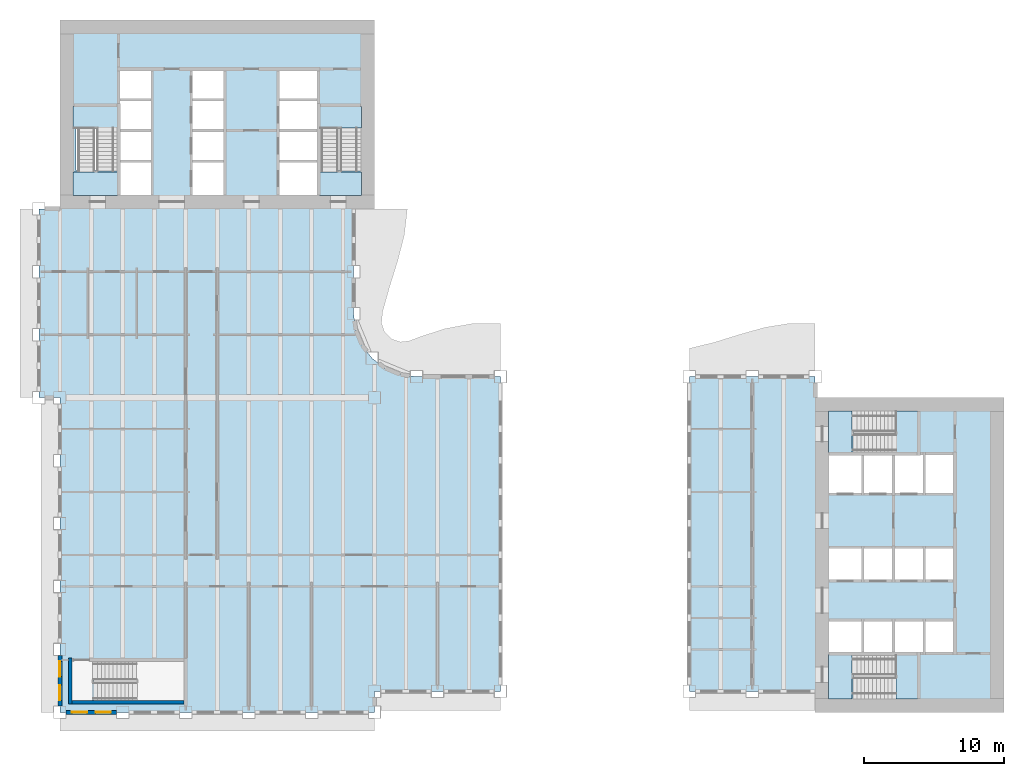
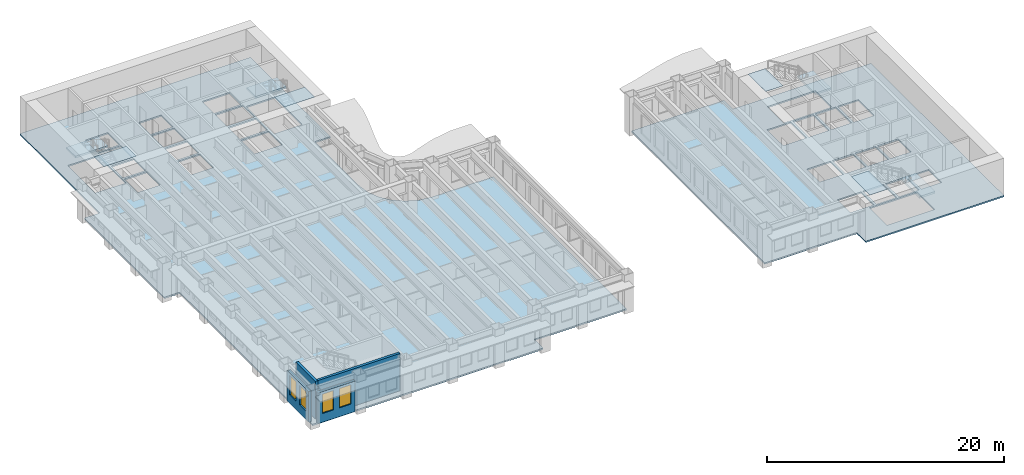
# One storey, part 2 of 13: 10 slabs, 4 walls, 4 windows, 4 openings, 4 elements without a shape of their own.
"""IFC4 building model written with IfcOpenShell, lengths in metres."""

import ifcopenshell
import ifcopenshell.guid

model = None  # the IFC model being written
_history = None  # IfcOwnerHistory: only IFC2X3 demands one
_inside = {}  # id of a spatial element -> (the spatial element, [elements in it])
_under = {}  # id of a project, library or spatial element -> (it, [spatial elements below it])
_declared = {}  # id of a project -> (the project, [libraries it declares])
_typed = {}  # id of a type object -> (the type object, [elements of that type])
_made_of = {}  # id of a material, layer set ... -> (it, [elements and type objects made of it])


def new_model(schema):
    """Start an empty IFC model of exactly this schema.

    Asked for "IFC4X3", IfcOpenShell would pick the latest addendum, in which some entities
    have other attributes; the version numbers below select the first issue.
    IFC2X3 requires an IfcOwnerHistory on every rooted entity: one is made here for all.
    """
    global model, _history
    if schema == "IFC4X3":
        model = ifcopenshell.file(schema_version=(4, 3, 0, 0))
    else:
        model = ifcopenshell.file(schema=schema)
    _inside.clear()
    _under.clear()
    _declared.clear()
    _typed.clear()
    _made_of.clear()
    _history = None
    if model.schema == "IFC2X3":
        org = make("IfcOrganization", Name="unknown")
        user = make(
            "IfcPersonAndOrganization",
            ThePerson=make("IfcPerson", FamilyName="unknown"),
            TheOrganization=org,
        )
        app = make(
            "IfcApplication",
            ApplicationDeveloper=org,
            Version="unknown",
            ApplicationFullName="unknown",
            ApplicationIdentifier="unknown",
        )
        _history = make(
            "IfcOwnerHistory",
            OwningUser=user,
            OwningApplication=app,
            ChangeAction="ADDED",
            CreationDate=0,
        )
    return model


def make(cls, **values):
    """One entity of the class cls with the attributes given. An attribute that is None is left unset."""
    return model.create_entity(
        cls, **{name: value for name, value in values.items() if value is not None}
    )


def rooted(cls, **values):
    """An entity with a GlobalId (a new one), such as an element, a storey or a relation."""
    return make(cls, GlobalId=ifcopenshell.guid.new(), OwnerHistory=_history, **values)


def si_unit(unit_type, name, prefix=None):
    """IfcSIUnit, for example si_unit("LENGTHUNIT", "METRE", prefix="MILLI")."""
    return make("IfcSIUnit", UnitType=unit_type, Prefix=prefix, Name=name)


def assignment(units):
    """IfcUnitAssignment: the units of a project."""
    return None if units is None else make("IfcUnitAssignment", Units=units)


def point(xyz):
    """IfcCartesianPoint."""
    return None if xyz is None else make("IfcCartesianPoint", Coordinates=xyz)


def direction(xyz):
    """IfcDirection."""
    return None if xyz is None else make("IfcDirection", DirectionRatios=xyz)


def frame(location, z_axis=None, x_axis=None):
    """IfcAxis2Placement3D, a coordinate frame: its origin and axes. An axis left out is left unset."""
    return make(
        "IfcAxis2Placement3D",
        Location=point(location),
        Axis=direction(z_axis),
        RefDirection=direction(x_axis),
    )


def frame_2d(location, x_axis=None):
    """IfcAxis2Placement2D, a coordinate frame in the plane: its origin and x axis."""
    return make(
        "IfcAxis2Placement2D", Location=point(location), RefDirection=direction(x_axis)
    )


def origin():
    """The frame at (0, 0, 0) with its axes left unset."""
    return frame((0.0, 0.0, 0.0))


def place(relative_to, where):
    """IfcLocalPlacement: puts the frame where relative to a parent placement (None: the world)."""
    return make(
        "IfcLocalPlacement", PlacementRelTo=relative_to, RelativePlacement=where
    )


def context(
    kind, dimensions, precision=None, world=None, true_north=None, identifier=None
):
    """IfcGeometricRepresentationContext, for example the 3D "Model" context."""
    return make(
        "IfcGeometricRepresentationContext",
        ContextIdentifier=identifier,
        ContextType=kind,
        CoordinateSpaceDimension=dimensions,
        Precision=precision,
        WorldCoordinateSystem=world,
        TrueNorth=true_north,
    )


def subcontext(parent, identifier, kind, view, scale=None):
    """IfcGeometricRepresentationSubContext, for example "Body" below "Model"."""
    return make(
        "IfcGeometricRepresentationSubContext",
        ContextIdentifier=identifier,
        ContextType=kind,
        ParentContext=parent,
        TargetScale=scale,
        TargetView=view,
    )


def project(units=None, contexts=None):
    """IfcProject with its units and contexts."""
    return rooted(
        "IfcProject",
        Name="project",
        RepresentationContexts=contexts,
        UnitsInContext=assignment(units),
    )


def spatial(cls, under=None, at=None, **own):
    """A site, building, storey or space (cls), placed at a placement, below another one or the project."""
    s = rooted(cls, ObjectPlacement=at, **own)
    if under is not None:
        _under.setdefault(under.id(), (under, []))[1].append(s)
    return s


def polyline(points):
    """IfcPolyline through the points."""
    return make("IfcPolyline", Points=[point(p) for p in points])


def profile(cls, at=None, kind="AREA", **sizes):
    """A parametric profile (cls). Its sizes go by their IFC names, for example OverallWidth=200.0."""
    return make(cls, ProfileType=kind, Position=at, **sizes)


def rectangle(**sizes):
    """IfcRectangleProfileDef."""
    return profile("IfcRectangleProfileDef", **sizes)


def outline(outer, holes=None, kind="AREA"):
    """IfcArbitraryClosedProfileDef: a profile drawn as a closed curve; with holes, ...WithVoids."""
    if holes is None:
        return make("IfcArbitraryClosedProfileDef", ProfileType=kind, OuterCurve=outer)
    return make(
        "IfcArbitraryProfileDefWithVoids",
        ProfileType=kind,
        OuterCurve=outer,
        InnerCurves=holes,
    )


def extrude(swept, where, along, depth):
    """IfcExtrudedAreaSolid: the profile swept, set in the frame where, extruded along a direction by depth."""
    return make(
        "IfcExtrudedAreaSolid",
        SweptArea=swept,
        Position=where,
        ExtrudedDirection=direction(along),
        Depth=depth,
    )


def shape(context_of_items, identifier, shape_type, items):
    """IfcShapeRepresentation: the items that make up one representation, for example the "Body"."""
    return make(
        "IfcShapeRepresentation",
        ContextOfItems=context_of_items,
        RepresentationIdentifier=identifier,
        RepresentationType=shape_type,
        Items=items,
    )


def material(Name=None, Category=None):
    """IfcMaterial."""
    return make("IfcMaterial", Name=Name, Category=Category)


def layer(
    of_material, thickness, ventilated=None, Name=None, Category=None, Priority=None
):
    """IfcMaterialLayer: one layer of a wall or slab, of a material (None: an air gap)."""
    return make(
        "IfcMaterialLayer",
        Material=of_material,
        LayerThickness=thickness,
        IsVentilated=ventilated,
        Name=Name,
        Category=Category,
        Priority=Priority,
    )


def layer_set(layers, Name=None):
    """IfcMaterialLayerSet."""
    return make("IfcMaterialLayerSet", MaterialLayers=layers, LayerSetName=Name)


def made_of(thing, what):
    """Note that an element or type object is made of a material, layer set ...; save() writes the relation."""
    if what is not None:
        _made_of.setdefault(what.id(), (what, []))[1].append(thing)
    return thing


def type_object(cls, material=None, **own):
    """A type object (cls), such as IfcWallType, which elements share."""
    return made_of(rooted(cls, **own), material)


def element(
    cls,
    number,
    at=None,
    inside=None,
    cuts=None,
    type_object=None,
    material=None,
    context=None,
    identifier="Body",
    shape_type=None,
    held_by="IfcProductDefinitionShape",
    body=None,
    shapes=None,
    **own,
):
    """One element of the class cls, such as IfcWall. Its Tag is "e" and its number.

    at: its placement. inside: the storey or other place that contains it. cuts: it is an
    opening in that element (IfcRelVoidsElement). A single representation is given by context,
    identifier, shape_type and body (its items); several are given by shapes. held_by: the class
    of the entity that holds the representations. save() writes the other relations.
    """
    e = rooted(cls, Tag="e%d" % number, ObjectPlacement=at, **own)
    if body is not None:
        shapes = [shape(context, identifier, shape_type, body)]
    if shapes is not None:
        e.Representation = make(held_by, Representations=shapes)
    if inside is not None:
        _inside.setdefault(inside.id(), (inside, []))[1].append(e)
    if cuts is not None:
        rooted(
            "IfcRelVoidsElement", RelatingBuildingElement=cuts, RelatedOpeningElement=e
        )
    if type_object is not None:
        _typed.setdefault(type_object.id(), (type_object, []))[1].append(e)
    return made_of(e, material)


def fill(opening, filler):
    """IfcRelFillsElement: the door or window that sits in an opening."""
    return rooted(
        "IfcRelFillsElement",
        RelatingOpeningElement=opening,
        RelatedBuildingElement=filler,
    )


def aggregate(whole, parts):
    """IfcRelAggregates: a whole, such as a stair, and the parts it consists of."""
    return rooted("IfcRelAggregates", RelatingObject=whole, RelatedObjects=parts)


def save(model, path):
    """Write the relations noted so far, then the file.

    IfcRelAggregates (storeys below a building ...), IfcRelContainedInSpatialStructure (elements
    in a storey), IfcRelDefinesByType, IfcRelAssociatesMaterial and IfcRelDeclares: one each for
    every whole, place, type object, material and project.
    """
    for whole, parts in _under.values():
        aggregate(whole, parts)
    for where, things in _inside.values():
        rooted(
            "IfcRelContainedInSpatialStructure",
            RelatedElements=things,
            RelatingStructure=where,
        )
    for kind, things in _typed.values():
        rooted("IfcRelDefinesByType", RelatedObjects=things, RelatingType=kind)
    for what, things in _made_of.values():
        rooted("IfcRelAssociatesMaterial", RelatedObjects=things, RelatingMaterial=what)
    for by, libraries in _declared.values():
        rooted("IfcRelDeclares", RelatingContext=by, RelatedDefinitions=libraries)
    model.write(path)


model = new_model("IFC4")

# Units and contexts
model_context = context("Model", 3, precision=1e-05, world=origin(), true_north=direction((0.0, 1.0)))
body_context = subcontext(model_context, "Body", "Model", "MODEL_VIEW")
ifc_project = project(units=[si_unit("LENGTHUNIT", "METRE"), si_unit("AREAUNIT", "SQUARE_METRE"), si_unit("VOLUMEUNIT", "CUBIC_METRE"), si_unit("PLANEANGLEUNIT", "RADIAN"), si_unit("MASSUNIT", "GRAM", prefix="KILO")], contexts=[model_context])

# Site, building, storey
site_placement = place(None, origin())
site = spatial("IfcSite", under=ifc_project, at=site_placement, CompositionType="ELEMENT")
building_placement = place(site_placement, origin())
building = spatial("IfcBuilding", under=site, at=building_placement, Name="Sennacour Bend Tower", CompositionType="ELEMENT")
storey_placement = place(building_placement, frame((0.0, 0.0, 139.0)))
storey = spatial("IfcBuildingStorey", under=building, at=storey_placement, Name="L31", CompositionType="ELEMENT", Elevation=139.0)

# Slabs
ifc_material_1 = material(Name="Concrete C30/37", Category="concrete")
ifc_layer_1 = layer(ifc_material_1, 0.14990234375, Name="Concrete C30/37", Category="concrete")
ifc_layer_set_1 = layer_set([ifc_layer_1], Name="Concrete C30/37")
slab_type_1 = type_object("IfcSlabType", Name="Floor slab 150", PredefinedType="FLOOR", material=ifc_layer_set_1)
slab_1_placement = place(storey_placement, frame((0.0, 0.0, -0.14990234375)))
element("IfcSlab", 1, at=slab_1_placement, inside=storey, type_object=slab_type_1, Name="Floor slab L31-01", PredefinedType="FLOOR", context=body_context, shape_type="SweptSolid", body=[
    extrude(outline(polyline([(45.0, 24.0), (54.0, 24.0), (54.0, 22.5), (67.5, 22.5), (67.5, 0.0), (54.0, 0.0), (54.0, 1.5), (45.0, 1.5), (45.0, 24.0)]), holes=[polyline([(61.39990234375, 4.125), (56.72998046875, 4.125), (56.72998046875, 1.14990234375), (61.39990234375, 1.14990234375), (61.39990234375, 4.125)]), polyline([(57.300048828125, 4.300048828125), (57.300048828125, 6.5), (55.0, 6.5), (55.0, 4.300048828125), (57.300048828125, 4.300048828125)]), polyline([(59.5, 4.300048828125), (59.5, 6.5), (57.5, 6.5), (57.5, 4.300048828125), (59.5, 4.300048828125)]), polyline([(57.300048828125, 9.5), (57.300048828125, 11.699951171875), (55.0, 11.699951171875), (55.0, 9.5), (57.300048828125, 9.5)]), polyline([(59.5, 9.5), (59.5, 11.699951171875), (57.5, 11.699951171875), (57.5, 9.5), (59.5, 9.5)]), polyline([(57.300048828125, 15.699951171875), (57.300048828125, 18.39990234375), (55.0, 18.39990234375), (55.0, 15.699951171875), (57.300048828125, 15.699951171875)]), polyline([(59.5, 15.699951171875), (59.5, 18.39990234375), (57.5, 18.39990234375), (57.5, 15.699951171875), (59.5, 15.699951171875)]), polyline([(61.699951171875, 6.5), (59.699951171875, 6.5), (59.699951171875, 4.300048828125), (61.699951171875, 4.300048828125), (61.699951171875, 6.5)]), polyline([(63.89990234375, 4.300048828125), (63.89990234375, 6.5), (61.89990234375, 6.5), (61.89990234375, 4.300048828125), (63.89990234375, 4.300048828125)]), polyline([(61.699951171875, 9.5), (61.699951171875, 11.699951171875), (59.699951171875, 11.699951171875), (59.699951171875, 9.5), (61.699951171875, 9.5)]), polyline([(63.89990234375, 9.5), (63.89990234375, 11.699951171875), (61.89990234375, 11.699951171875), (61.89990234375, 9.5), (63.89990234375, 9.5)]), polyline([(61.699951171875, 15.699951171875), (61.699951171875, 18.39990234375), (59.699951171875, 18.39990234375), (59.699951171875, 15.699951171875), (61.699951171875, 15.699951171875)]), polyline([(63.89990234375, 15.699951171875), (63.89990234375, 18.39990234375), (61.89990234375, 18.39990234375), (61.89990234375, 15.699951171875), (63.89990234375, 15.699951171875)]), polyline([(61.39990234375, 18.574951171875), (61.39990234375, 21.35009765625), (56.72998046875, 21.35009765625), (56.72998046875, 18.574951171875), (61.39990234375, 18.574951171875)])]), origin(), (0.0, 0.0, 1.0), 0.14990234375),
])
slab_2_placement = place(storey_placement, frame((0.0, 0.0, -0.14990234375)))
element("IfcSlab", 2, at=slab_2_placement, inside=storey, type_object=slab_type_1, Name="Floor slab L31-02", PredefinedType="FLOOR", context=body_context, shape_type="SweptSolid", body=[
    extrude(outline(polyline([(31.5, 1.5), (22.5, 1.5), (22.5, 0.0), (0.0, 0.0), (0.0, 22.5), (-1.5, 22.5), (-1.5, 36.0), (0.0, 36.0), (0.0, 49.5), (22.5, 49.5), (22.5, 36.0), (21.0, 36.0), (21.0, 28.5), (21.1533203125, 27.335205078125), (21.602783203125, 26.25), (22.318115234375, 25.318115234375), (23.25, 24.602783203125), (24.335205078125, 24.1533203125), (25.5, 24.0), (31.5, 24.0), (31.5, 1.5)]), holes=[polyline([(8.800048828125, 3.5), (2.429931640625, 3.5), (2.429931640625, 0.949951171875), (8.800048828125, 0.949951171875), (8.800048828125, 3.5)]), polyline([(6.5, 37.0), (6.5, 39.300048828125), (4.300048828125, 39.300048828125), (4.300048828125, 37.0), (6.5, 37.0)]), polyline([(11.699951171875, 37.0), (11.699951171875, 39.300048828125), (9.5, 39.300048828125), (9.5, 37.0), (11.699951171875, 37.0)]), polyline([(6.5, 39.5), (6.5, 41.5), (4.300048828125, 41.5), (4.300048828125, 39.5), (6.5, 39.5)]), polyline([(11.699951171875, 39.5), (11.699951171875, 41.5), (9.5, 41.5), (9.5, 39.5), (11.699951171875, 39.5)]), polyline([(4.125, 38.72998046875), (4.125, 43.39990234375), (1.14990234375, 43.39990234375), (1.14990234375, 38.72998046875), (4.125, 38.72998046875)]), polyline([(6.5, 41.699951171875), (6.5, 43.699951171875), (4.300048828125, 43.699951171875), (4.300048828125, 41.699951171875), (6.5, 41.699951171875)]), polyline([(6.5, 43.89990234375), (6.5, 45.89990234375), (4.300048828125, 45.89990234375), (4.300048828125, 43.89990234375), (6.5, 43.89990234375)]), polyline([(18.39990234375, 37.0), (18.39990234375, 39.300048828125), (15.699951171875, 39.300048828125), (15.699951171875, 37.0), (18.39990234375, 37.0)]), polyline([(18.39990234375, 39.5), (18.39990234375, 41.5), (15.699951171875, 41.5), (15.699951171875, 39.5), (18.39990234375, 39.5)]), polyline([(21.35009765625, 38.72998046875), (21.35009765625, 43.39990234375), (18.574951171875, 43.39990234375), (18.574951171875, 38.72998046875), (21.35009765625, 38.72998046875)]), polyline([(11.699951171875, 41.699951171875), (11.699951171875, 43.699951171875), (9.5, 43.699951171875), (9.5, 41.699951171875), (11.699951171875, 41.699951171875)]), polyline([(18.39990234375, 41.699951171875), (18.39990234375, 43.699951171875), (15.699951171875, 43.699951171875), (15.699951171875, 41.699951171875), (18.39990234375, 41.699951171875)]), polyline([(11.699951171875, 43.89990234375), (11.699951171875, 45.89990234375), (9.5, 45.89990234375), (9.5, 43.89990234375), (11.699951171875, 43.89990234375)]), polyline([(18.39990234375, 43.89990234375), (18.39990234375, 45.89990234375), (15.699951171875, 45.89990234375), (15.699951171875, 43.89990234375), (18.39990234375, 43.89990234375)])]), origin(), (0.0, 0.0, 1.0), 0.14990234375),
])
ifc_material_2 = material(Name="Concrete C40/50", Category="concrete")
ifc_layer_2 = layer(ifc_material_2, 0.034912109375, Name="Concrete C40/50", Category="concrete")
ifc_layer_set_2 = layer_set([ifc_layer_2], Name="Concrete C40/50")
slab_type_2 = type_object("IfcSlabType", Name="Stair arrival nib 35", PredefinedType="FLOOR", material=ifc_layer_set_2)
slab_3_placement = place(storey_placement, frame((0.0, 0.0, 3.815185546875)))
element("IfcSlab", 3, at=slab_3_placement, inside=storey, type_object=slab_type_2, Name="L31 SA1 stair arrival nib", PredefinedType="FLOOR", context=body_context, shape_type="SweptSolid", body=[
    extrude(outline(polyline([(56.64208984375, 4.125), (54.949951171875, 4.125), (54.949951171875, 0.949951171875), (56.64208984375, 0.949951171875), (56.64208984375, 4.125)])), origin(), (0.0, 0.0, 1.0), 0.034912109375),
])
slab_4_placement = place(storey_placement, frame((0.0, 0.0, 3.815185546875)))
element("IfcSlab", 4, at=slab_4_placement, inside=storey, type_object=slab_type_2, Name="L31 SA2 stair arrival nib", PredefinedType="FLOOR", context=body_context, shape_type="SweptSolid", body=[
    extrude(outline(polyline([(56.64208984375, 21.550048828125), (54.949951171875, 21.550048828125), (54.949951171875, 18.574951171875), (56.64208984375, 18.574951171875), (56.64208984375, 21.550048828125)])), origin(), (0.0, 0.0, 1.0), 0.034912109375),
])
slab_5_placement = place(storey_placement, frame((0.0, 0.0, 3.815185546875)))
element("IfcSlab", 5, at=slab_5_placement, inside=storey, type_object=slab_type_2, Name="L31 SB1 stair arrival nib", PredefinedType="FLOOR", context=body_context, shape_type="SweptSolid", body=[
    extrude(outline(polyline([(0.949951171875, 38.64208984375), (0.949951171875, 36.949951171875), (4.125, 36.949951171875), (4.125, 38.64208984375), (0.949951171875, 38.64208984375)])), origin(), (0.0, 0.0, 1.0), 0.034912109375),
])
slab_6_placement = place(storey_placement, frame((0.0, 0.0, 3.815185546875)))
element("IfcSlab", 6, at=slab_6_placement, inside=storey, type_object=slab_type_2, Name="L31 SB2 stair arrival nib", PredefinedType="FLOOR", context=body_context, shape_type="SweptSolid", body=[
    extrude(outline(polyline([(18.574951171875, 38.64208984375), (18.574951171875, 36.949951171875), (21.550048828125, 36.949951171875), (21.550048828125, 38.64208984375), (18.574951171875, 38.64208984375)])), origin(), (0.0, 0.0, 1.0), 0.034912109375),
])

# Stair, slab
stair_type = type_object("IfcStairType", Name="ST-DOGLEG", PredefinedType="HALF_TURN_STAIR", material=ifc_material_2)
stair_1_placement = place(storey_placement, origin())
stair_1 = element("IfcStair", 7, at=stair_1_placement, inside=storey, type_object=stair_type, Name="L31 Exit stair A1", PredefinedType="HALF_TURN_STAIR")
ifc_layer_3 = layer(ifc_material_2, 0.199951171875, Name="Concrete C40/50", Category="concrete")
ifc_layer_set_3 = layer_set([ifc_layer_3], Name="Concrete C40/50")
slab_type_3 = type_object("IfcSlabType", Name="Stair landing 200", PredefinedType="LANDING", material=ifc_layer_set_3)
slab_7_placement = place(storey_placement, frame((0.0, 0.0, 1.800048828125)))
slab_7 = element("IfcSlab", 8, at=slab_7_placement, type_object=slab_type_3, Name="SA1 landing 1", PredefinedType="LANDING", context=body_context, shape_type="SweptSolid", body=[
    extrude(outline(polyline([(59.780029296875, 0.949951171875), (61.324951171875, 0.949951171875), (61.324951171875, 4.125), (59.780029296875, 4.125), (59.780029296875, 0.949951171875)])), origin(), (0.0, 0.0, 1.0), 0.199951171875),
])
aggregate(stair_1, [slab_7])

stair_2_placement = place(storey_placement, origin())
stair_2 = element("IfcStair", 9, at=stair_2_placement, inside=storey, type_object=stair_type, Name="L31 Exit stair A2", PredefinedType="HALF_TURN_STAIR")
slab_8_placement = place(storey_placement, frame((0.0, 0.0, 1.800048828125)))
slab_8 = element("IfcSlab", 10, at=slab_8_placement, type_object=slab_type_3, Name="SA2 landing 1", PredefinedType="LANDING", context=body_context, shape_type="SweptSolid", body=[
    extrude(outline(polyline([(59.780029296875, 18.574951171875), (61.324951171875, 18.574951171875), (61.324951171875, 21.550048828125), (59.780029296875, 21.550048828125), (59.780029296875, 18.574951171875)])), origin(), (0.0, 0.0, 1.0), 0.199951171875),
])
aggregate(stair_2, [slab_8])

stair_3_placement = place(storey_placement, origin())
stair_3 = element("IfcStair", 11, at=stair_3_placement, inside=storey, type_object=stair_type, Name="L31 Exit stair B1", PredefinedType="HALF_TURN_STAIR")
slab_9_placement = place(storey_placement, frame((0.0, 0.0, 1.800048828125)))
slab_9 = element("IfcSlab", 12, at=slab_9_placement, type_object=slab_type_3, Name="SB1 landing 1", PredefinedType="LANDING", context=body_context, shape_type="SweptSolid", body=[
    extrude(outline(polyline([(0.949951171875, 41.780029296875), (4.125, 41.780029296875), (4.125, 43.324951171875), (0.949951171875, 43.324951171875), (0.949951171875, 41.780029296875)])), origin(), (0.0, 0.0, 1.0), 0.199951171875),
])
aggregate(stair_3, [slab_9])

stair_4_placement = place(storey_placement, origin())
stair_4 = element("IfcStair", 13, at=stair_4_placement, inside=storey, type_object=stair_type, Name="L31 Exit stair B2", PredefinedType="HALF_TURN_STAIR")
slab_10_placement = place(storey_placement, frame((0.0, 0.0, 1.800048828125)))
slab_10 = element("IfcSlab", 14, at=slab_10_placement, type_object=slab_type_3, Name="SB2 landing 1", PredefinedType="LANDING", context=body_context, shape_type="SweptSolid", body=[
    extrude(outline(polyline([(18.574951171875, 41.780029296875), (21.550048828125, 41.780029296875), (21.550048828125, 43.324951171875), (18.574951171875, 43.324951171875), (18.574951171875, 41.780029296875)])), origin(), (0.0, 0.0, 1.0), 0.199951171875),
])
aggregate(stair_4, [slab_10])

# Wall, openings, windows
ifc_material_3 = material(Name="Warm limestone cladding", Category="masonry")
ifc_layer_4 = layer(ifc_material_3, 0.050048828125, Name="Warm limestone cladding", Category="masonry")
ifc_material_4 = material(Name="Precast concrete C40/50", Category="concrete")
ifc_layer_5 = layer(ifc_material_4, 0.25, Name="Precast concrete C40/50", Category="concrete")
ifc_layer_set_4 = layer_set([ifc_layer_4, ifc_layer_5], Name="Precast concrete C40/50 with limestone cladding")
wall_type_1 = type_object("IfcWallType", Name="STONE-CLAD PRECAST SPANDREL 300", PredefinedType="STANDARD", material=ifc_layer_set_4)
wall_1_placement = place(storey_placement, frame((0.0, 4.050048828125, 0.0), z_axis=(0.0, 0.0, 1.0), x_axis=(0.0, -1.0, 0.0)))
wall_1 = element("IfcWall", 15, at=wall_1_placement, inside=storey, type_object=wall_type_1, Name="Stone spandrel and pier wall L31 23.04", PredefinedType="STANDARD", context=body_context, shape_type="SweptSolid", body=[
    extrude(rectangle(XDim=3.60009765625, YDim=0.300048828125, at=frame_2d((1.800048828125, 0.0))), origin(), (0.0, 0.0, 1.0), 3.14892578125),
])
opening_1_placement = place(wall_1_placement, frame((0.39990234375, 0.0, 0.89990234375)))
opening_1 = element("IfcOpeningElement", 16, at=opening_1_placement, cuts=wall_1, Name="Opening W19", PredefinedType="OPENING", context=body_context, shape_type="SweptSolid", body=[
    extrude(rectangle(XDim=1.10009765625, YDim=2.0, at=frame_2d((0.550048828125, 1.0))), frame((0.0, 0.16015625, 0.0), z_axis=(0.0, -1.0, 0.0), x_axis=(1.0, 0.0, 0.0)), (0.0, 0.0, 1.0), 0.320068359375),
])
opening_2_placement = place(wall_1_placement, frame((2.10009765625, 0.0, 0.89990234375)))
opening_2 = element("IfcOpeningElement", 17, at=opening_2_placement, cuts=wall_1, Name="Opening W19", PredefinedType="OPENING", context=body_context, shape_type="SweptSolid", body=[
    extrude(rectangle(XDim=1.10009765625, YDim=2.0, at=frame_2d((0.550048828125, 1.0))), frame((0.0, 0.16015625, 0.0), z_axis=(0.0, -1.0, 0.0), x_axis=(1.0, 0.0, 0.0)), (0.0, 0.0, 1.0), 0.320068359375),
])
ifc_material_5 = material(Name="Clear low-emissivity glass", Category="glass")
window_type = type_object("IfcWindowType", Name="WIN-RIBBON-1100x2000", PartitioningType="SINGLE_PANEL", PredefinedType="WINDOW", material=ifc_material_5)
window_1_placement = place(opening_1_placement, origin())
window_1 = element("IfcWindow", 18, at=window_1_placement, inside=storey, type_object=window_type, Name="Ribbon window L31 23.04.0", OverallHeight=2.0, OverallWidth=1.10009765625, PartitioningType="SINGLE_PANEL", PredefinedType="WINDOW", context=body_context, shape_type="SweptSolid", body=[
    extrude(rectangle(XDim=1.10009765625, YDim=2.0, at=frame_2d((0.550048828125, 1.0))), frame((0.0, 0.030029296875, 0.0), z_axis=(0.0, -1.0, 0.0), x_axis=(1.0, 0.0, 0.0)), (0.0, 0.0, 1.0), 0.06005859375),
])
fill(opening_1, window_1)
window_2_placement = place(opening_2_placement, origin())
window_2 = element("IfcWindow", 19, at=window_2_placement, inside=storey, type_object=window_type, Name="Ribbon window L31 23.04.1", OverallHeight=2.0, OverallWidth=1.10009765625, PartitioningType="SINGLE_PANEL", PredefinedType="WINDOW", context=body_context, shape_type="SweptSolid", body=[
    extrude(rectangle(XDim=1.10009765625, YDim=2.0, at=frame_2d((0.550048828125, 1.0))), frame((0.0, 0.030029296875, 0.0), z_axis=(0.0, -1.0, 0.0), x_axis=(1.0, 0.0, 0.0)), (0.0, 0.0, 1.0), 0.06005859375),
])
fill(opening_2, window_2)

wall_2_placement = place(storey_placement, frame((0.449951171875, 0.0, 0.0), z_axis=(0.0, 0.0, 1.0), x_axis=(1.0, 0.0, 0.0)))
wall_2 = element("IfcWall", 20, at=wall_2_placement, inside=storey, type_object=wall_type_1, Name="Stone spandrel and pier wall L31 24.00", PredefinedType="STANDARD", context=body_context, shape_type="SweptSolid", body=[
    extrude(rectangle(XDim=3.60009765625, YDim=0.300048828125, at=frame_2d((1.800048828125, 0.0))), origin(), (0.0, 0.0, 1.0), 3.14892578125),
])
opening_3_placement = place(wall_2_placement, frame((0.39990234375, 0.0, 0.89990234375)))
opening_3 = element("IfcOpeningElement", 21, at=opening_3_placement, cuts=wall_2, Name="Opening W19", PredefinedType="OPENING", context=body_context, shape_type="SweptSolid", body=[
    extrude(rectangle(XDim=1.10009765625, YDim=2.0, at=frame_2d((0.550048828125, 1.0))), frame((0.0, 0.16015625, 0.0), z_axis=(0.0, -1.0, 0.0), x_axis=(1.0, 0.0, 0.0)), (0.0, 0.0, 1.0), 0.320068359375),
])
opening_4_placement = place(wall_2_placement, frame((2.10009765625, 0.0, 0.89990234375)))
opening_4 = element("IfcOpeningElement", 22, at=opening_4_placement, cuts=wall_2, Name="Opening W19", PredefinedType="OPENING", context=body_context, shape_type="SweptSolid", body=[
    extrude(rectangle(XDim=1.10009765625, YDim=2.0, at=frame_2d((0.550048828125, 1.0))), frame((0.0, 0.16015625, 0.0), z_axis=(0.0, -1.0, 0.0), x_axis=(1.0, 0.0, 0.0)), (0.0, 0.0, 1.0), 0.320068359375),
])
window_3_placement = place(opening_3_placement, origin())
window_3 = element("IfcWindow", 23, at=window_3_placement, inside=storey, type_object=window_type, Name="Ribbon window L31 24.00.0", OverallHeight=2.0, OverallWidth=1.10009765625, PartitioningType="SINGLE_PANEL", PredefinedType="WINDOW", context=body_context, shape_type="SweptSolid", body=[
    extrude(rectangle(XDim=1.10009765625, YDim=2.0, at=frame_2d((0.550048828125, 1.0))), frame((0.0, 0.030029296875, 0.0), z_axis=(0.0, -1.0, 0.0), x_axis=(1.0, 0.0, 0.0)), (0.0, 0.0, 1.0), 0.06005859375),
])
fill(opening_3, window_3)
window_4_placement = place(opening_4_placement, origin())
window_4 = element("IfcWindow", 24, at=window_4_placement, inside=storey, type_object=window_type, Name="Ribbon window L31 24.00.1", OverallHeight=2.0, OverallWidth=1.10009765625, PartitioningType="SINGLE_PANEL", PredefinedType="WINDOW", context=body_context, shape_type="SweptSolid", body=[
    extrude(rectangle(XDim=1.10009765625, YDim=2.0, at=frame_2d((0.550048828125, 1.0))), frame((0.0, 0.030029296875, 0.0), z_axis=(0.0, -1.0, 0.0), x_axis=(1.0, 0.0, 0.0)), (0.0, 0.0, 1.0), 0.06005859375),
])
fill(opening_4, window_4)

# Walls
ifc_material_6 = material(Name="Concrete C60/75", Category="concrete")
ifc_layer_6 = layer(ifc_material_6, 0.25, Name="Concrete C60/75", Category="concrete")
ifc_layer_set_5 = layer_set([ifc_layer_6], Name="Concrete C60/75")
wall_type_2 = type_object("IfcWallType", Name="Stair wall 250", PredefinedType="SHEAR", material=ifc_layer_set_5)
wall_3_placement = place(storey_placement, frame((0.72509765625, 0.60009765625, 0.0), z_axis=(0.0, 0.0, 1.0), x_axis=(0.0, 1.0, 0.0)))
element("IfcWall", 25, at=wall_3_placement, inside=storey, type_object=wall_type_2, Name="P-L31-W003", PredefinedType="SHEAR", context=body_context, shape_type="SweptSolid", body=[
    extrude(rectangle(XDim=3.27490234375, YDim=0.25, at=frame_2d((1.637451171875, 0.0))), origin(), (0.0, 0.0, 1.0), 3.85009765625),
])
wall_4_placement = place(storey_placement, frame((0.85009765625, 0.72509765625, 0.0), z_axis=(0.0, 0.0, 1.0), x_axis=(1.0, 0.0, 0.0)))
element("IfcWall", 26, at=wall_4_placement, inside=storey, type_object=wall_type_2, Name="P-L31-W043", PredefinedType="SHEAR", context=body_context, shape_type="SweptSolid", body=[
    extrude(rectangle(XDim=8.02490234375, YDim=0.25, at=frame_2d((4.012451171875, 0.0))), origin(), (0.0, 0.0, 1.0), 3.85009765625),
])

save(model, "model.ifc")
